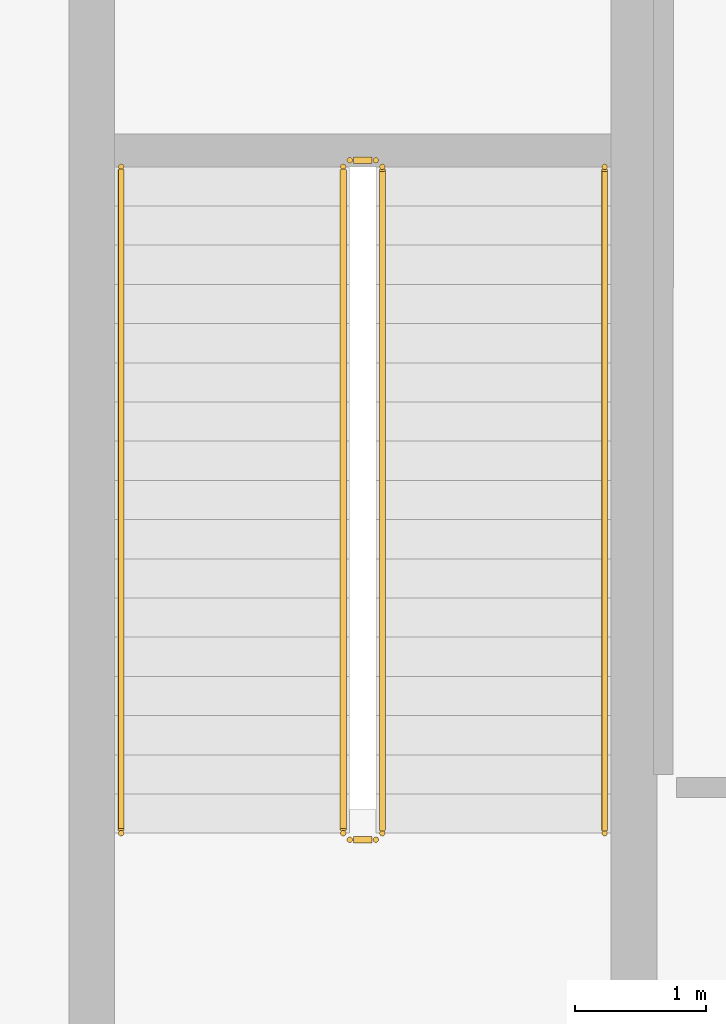
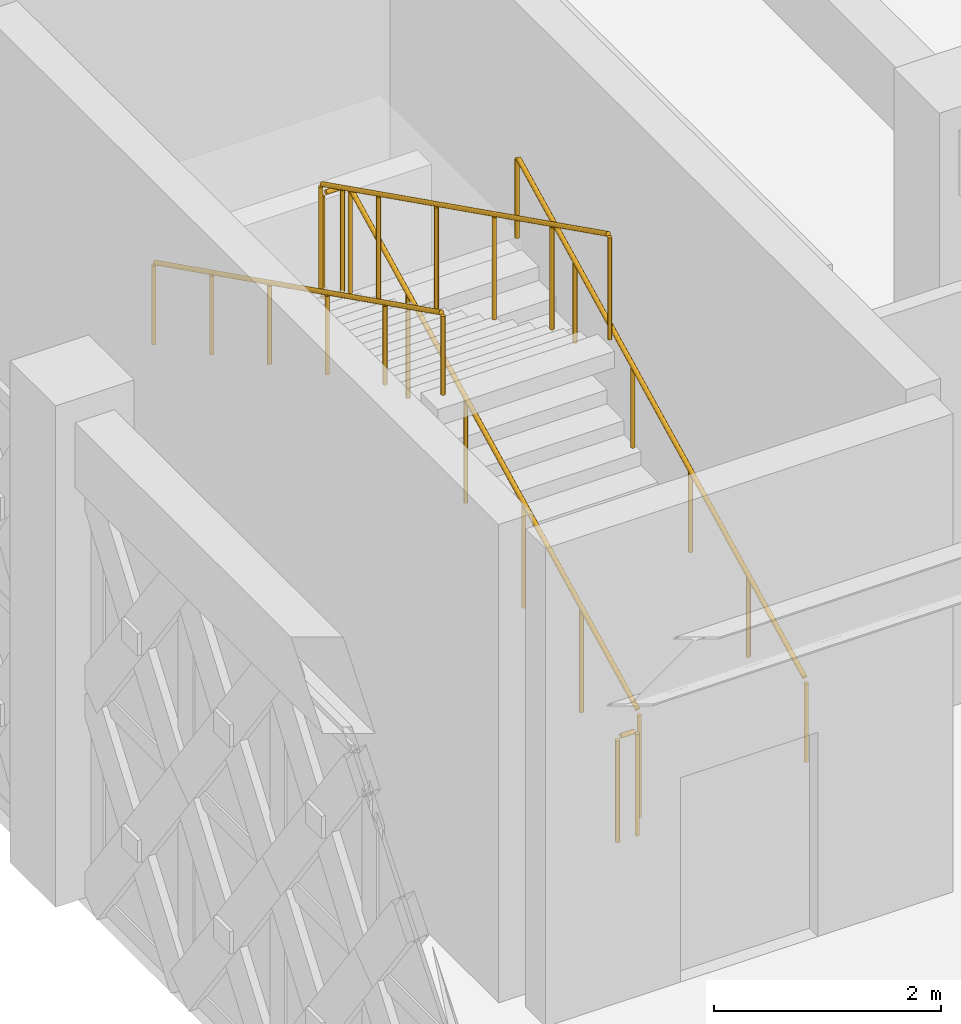
# One storey, part 84 of 86: 6 railings.
"""IFC4 building model written with IfcOpenShell, lengths in metres."""

from ifc_helpers import new_model, si_unit, direction, frame, origin, origin_2d, place, context, subcontext, project, spatial, circle, extrude, material, type_object, element, save


model = new_model("IFC4")

# Units and contexts
model_context = context("Model", 3, precision=1e-05, world=origin(), true_north=direction((0.0, 1.0)))
body_context = subcontext(model_context, "Body", "Model", "MODEL_VIEW")
ifc_project = project(units=[si_unit("LENGTHUNIT", "METRE"), si_unit("AREAUNIT", "SQUARE_METRE"), si_unit("VOLUMEUNIT", "CUBIC_METRE"), si_unit("PLANEANGLEUNIT", "RADIAN"), si_unit("MASSUNIT", "GRAM", prefix="KILO")], contexts=[model_context])

# Site, building, storey
site_placement = place(None, origin())
site = spatial("IfcSite", under=ifc_project, at=site_placement, CompositionType="ELEMENT")
building_placement = place(site_placement, origin())
building = spatial("IfcBuilding", under=site, at=building_placement, Name="Haizhuo Lancet Aquarium", CompositionType="ELEMENT")
storey_placement = place(building_placement, frame((0.0, 0.0, 16.199951171875)))
storey = spatial("IfcBuildingStorey", under=building, at=storey_placement, Name="L03", CompositionType="ELEMENT", Elevation=16.199951171875)

# Railings
ifc_material = material(Name="Steel S355", Category="steel")
railing_type_1 = type_object("IfcRailingType", Name="RL-GRD-1150", PredefinedType="GUARDRAIL", material=ifc_material)
railing_1_placement = place(storey_placement, frame((-22.35009765625, 43.050048828125, 0.150146484375)))
element("IfcRailing", 1, at=railing_1_placement, inside=storey, type_object=railing_type_1, Name="L03 ST-07 stair guard 1", PredefinedType="GUARDRAIL", context=body_context, shape_type="SweptSolid", body=[
    extrude(circle(Radius=0.02392578125, at=origin_2d()), frame((0.0, 0.02685546875, 1.13916015625), z_axis=(0.0, 0.894435754537, 0.447196468016), x_axis=(-1.0, 0.0, 0.0)), (0.0, 0.0, 1.0), 5.641845703125),
    extrude(circle(Radius=0.02099609375, at=origin_2d()), origin(), (0.0, 0.0, 1.0), 1.097900390625),
    extrude(circle(Radius=0.02099609375, at=origin_2d()), frame((0.0, 1.02001953125, 0.510009765625)), (0.0, 0.0, 1.0), 1.097900390625),
    extrude(circle(Radius=0.02099609375, at=origin_2d()), frame((0.0, 2.0400390625, 1.02001953125)), (0.0, 0.0, 1.0), 1.097900390625),
    extrude(circle(Radius=0.02099609375, at=origin_2d()), frame((0.0, 3.059814453125, 1.52978515625)), (0.0, 0.0, 1.0), 1.097900390625),
    extrude(circle(Radius=0.02099609375, at=origin_2d()), frame((0.0, 4.079833984375, 2.039794921875)), (0.0, 0.0, 1.0), 1.097900390625),
    extrude(circle(Radius=0.02099609375, at=origin_2d()), frame((0.0, 5.099853515625, 2.5498046875)), (0.0, 0.0, 1.0), 1.097900390625),
])
railing_2_placement = place(storey_placement, frame((-22.39990234375, 48.199951171875, 2.699951171875)))
element("IfcRailing", 2, at=railing_2_placement, inside=storey, type_object=railing_type_1, Name="L03 ST-07 stair guard 2", PredefinedType="GUARDRAIL", context=body_context, shape_type="SweptSolid", body=[
    extrude(circle(Radius=0.02392578125, at=origin_2d()), frame((-0.030029296875, 0.0, 1.1259765625), z_axis=(-1.0, 0.0, 0.0), x_axis=(0.0, -1.0, 0.0)), (0.0, 0.0, 1.0), 0.14013671875),
    extrude(circle(Radius=0.02099609375, at=origin_2d()), origin(), (0.0, 0.0, 1.0), 1.097900390625),
    extrude(circle(Radius=0.02099609375, at=origin_2d()), frame((-0.2001953125, 0.0, 0.0)), (0.0, 0.0, 1.0), 1.097900390625),
])
railing_3_placement = place(storey_placement, frame((-22.64990234375, 48.14990234375, 2.85009765625)))
element("IfcRailing", 3, at=railing_3_placement, inside=storey, type_object=railing_type_1, Name="L03 ST-07 stair guard 3", PredefinedType="GUARDRAIL", context=body_context, shape_type="SweptSolid", body=[
    extrude(circle(Radius=0.02392578125, at=origin_2d()), frame((0.0, -0.02685546875, 1.13916015625), z_axis=(0.0, -0.894418627299, 0.447230722492), x_axis=(1.0, 0.0, 0.0)), (0.0, 0.0, 1.0), 5.641845703125),
    extrude(circle(Radius=0.02099609375, at=origin_2d()), origin(), (0.0, 0.0, 1.0), 1.097900390625),
    extrude(circle(Radius=0.02099609375, at=origin_2d()), frame((0.0, -1.02001953125, 0.510009765625)), (0.0, 0.0, 1.0), 1.097900390625),
    extrude(circle(Radius=0.02099609375, at=origin_2d()), frame((0.0, -2.0400390625, 1.02001953125)), (0.0, 0.0, 1.0), 1.097900390625),
    extrude(circle(Radius=0.02099609375, at=origin_2d()), frame((0.0, -3.059814453125, 1.530029296875)), (0.0, 0.0, 1.0), 1.097900390625),
    extrude(circle(Radius=0.02099609375, at=origin_2d()), frame((0.0, -4.079833984375, 2.0400390625)), (0.0, 0.0, 1.0), 1.097900390625),
    extrude(circle(Radius=0.02099609375, at=origin_2d()), frame((0.0, -5.099853515625, 2.550048828125)), (0.0, 0.0, 1.0), 1.097900390625),
])
railing_4_placement = place(storey_placement, frame((-22.39990234375, 43.0, 0.0)))
element("IfcRailing", 4, at=railing_4_placement, inside=storey, type_object=railing_type_1, Name="L03 ST-07 stair guard 4", PredefinedType="GUARDRAIL", context=body_context, shape_type="SweptSolid", body=[
    extrude(circle(Radius=0.02392578125, at=origin_2d()), frame((-0.030029296875, 0.0, 1.1259765625), z_axis=(-1.0, 0.0, 0.0), x_axis=(0.0, -1.0, 0.0)), (0.0, 0.0, 1.0), 0.14013671875),
    extrude(circle(Radius=0.02099609375, at=origin_2d()), origin(), (0.0, 0.0, 1.0), 1.097900390625),
    extrude(circle(Radius=0.02099609375, at=origin_2d()), frame((-0.2001953125, 0.0, 0.0)), (0.0, 0.0, 1.0), 1.097900390625),
])
railing_type_2 = type_object("IfcRailingType", Name="RL-HDR-900", PredefinedType="HANDRAIL", material=ifc_material)
railing_5_placement = place(storey_placement, frame((-20.64990234375, 43.050048828125, 0.150146484375)))
element("IfcRailing", 5, at=railing_5_placement, inside=storey, type_object=railing_type_2, Name="L03 ST-07 pitch handrail 1", PredefinedType="HANDRAIL", context=body_context, shape_type="SweptSolid", body=[
    extrude(circle(Radius=0.02392578125, at=origin_2d()), frame((0.0, 0.02685546875, 0.88916015625), z_axis=(0.0, 0.894435754537, 0.447196468016), x_axis=(-1.0, 0.0, 0.0)), (0.0, 0.0, 1.0), 5.641845703125),
    extrude(circle(Radius=0.02099609375, at=origin_2d()), origin(), (0.0, 0.0, 1.0), 0.847900390625),
    extrude(circle(Radius=0.02099609375, at=origin_2d()), frame((0.0, 1.02001953125, 0.510009765625)), (0.0, 0.0, 1.0), 0.847900390625),
    extrude(circle(Radius=0.02099609375, at=origin_2d()), frame((0.0, 2.0400390625, 1.02001953125)), (0.0, 0.0, 1.0), 0.847900390625),
    extrude(circle(Radius=0.02099609375, at=origin_2d()), frame((0.0, 3.059814453125, 1.52978515625)), (0.0, 0.0, 1.0), 0.847900390625),
    extrude(circle(Radius=0.02099609375, at=origin_2d()), frame((0.0, 4.079833984375, 2.039794921875)), (0.0, 0.0, 1.0), 0.847900390625),
    extrude(circle(Radius=0.02099609375, at=origin_2d()), frame((0.0, 5.099853515625, 2.5498046875)), (0.0, 0.0, 1.0), 0.847900390625),
])
railing_6_placement = place(storey_placement, frame((-24.35009765625, 48.14990234375, 2.85009765625)))
element("IfcRailing", 6, at=railing_6_placement, inside=storey, type_object=railing_type_2, Name="L03 ST-07 pitch handrail 2", PredefinedType="HANDRAIL", context=body_context, shape_type="SweptSolid", body=[
    extrude(circle(Radius=0.02392578125, at=origin_2d()), frame((0.0, -0.02685546875, 0.88916015625), z_axis=(0.0, -0.894418627299, 0.447230722492), x_axis=(1.0, 0.0, 0.0)), (0.0, 0.0, 1.0), 5.641845703125),
    extrude(circle(Radius=0.02099609375, at=origin_2d()), origin(), (0.0, 0.0, 1.0), 0.847900390625),
    extrude(circle(Radius=0.02099609375, at=origin_2d()), frame((0.0, -1.02001953125, 0.510009765625)), (0.0, 0.0, 1.0), 0.847900390625),
    extrude(circle(Radius=0.02099609375, at=origin_2d()), frame((0.0, -2.0400390625, 1.02001953125)), (0.0, 0.0, 1.0), 0.847900390625),
    extrude(circle(Radius=0.02099609375, at=origin_2d()), frame((0.0, -3.059814453125, 1.530029296875)), (0.0, 0.0, 1.0), 0.847900390625),
    extrude(circle(Radius=0.02099609375, at=origin_2d()), frame((0.0, -4.079833984375, 2.0400390625)), (0.0, 0.0, 1.0), 0.847900390625),
    extrude(circle(Radius=0.02099609375, at=origin_2d()), frame((0.0, -5.099853515625, 2.550048828125)), (0.0, 0.0, 1.0), 0.847900390625),
])

save(model, "model.ifc")
